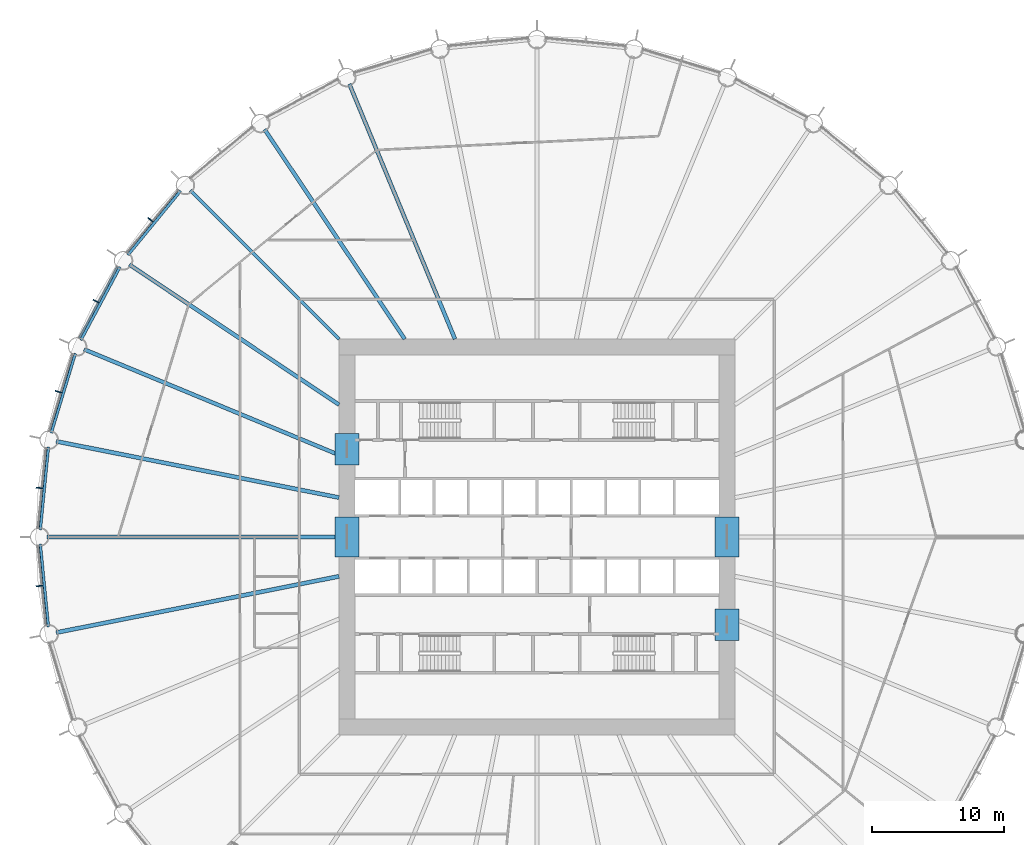
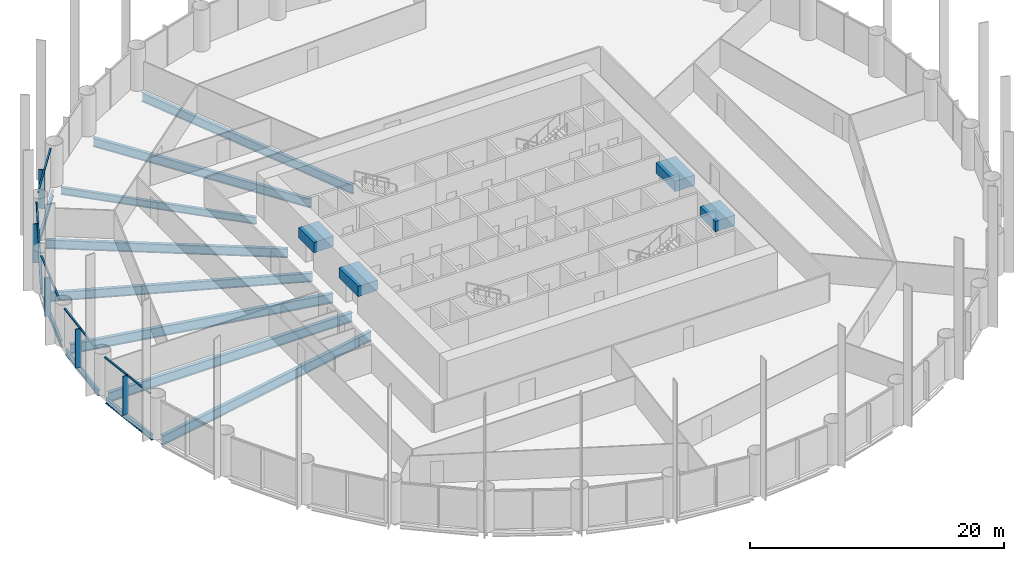
# One storey, part 4 of 14: 17 beams, 15 members, 5 elements without a shape of their own.
"""IFC4 building model written with IfcOpenShell, lengths in metres."""

from ifc_helpers import new_model, si_unit, direction, frame, origin, origin_2d, place, context, subcontext, project, spatial, rectangle, i_section, extrude, material, material_profile, profile_set, type_object, element, aggregate, save


model = new_model("IFC4")

# Units and contexts
model_context = context("Model", 3, precision=1e-05, world=origin(), true_north=direction((0.0, 1.0)))
body_context = subcontext(model_context, "Body", "Model", "MODEL_VIEW")
ifc_project = project(units=[si_unit("LENGTHUNIT", "METRE"), si_unit("AREAUNIT", "SQUARE_METRE"), si_unit("VOLUMEUNIT", "CUBIC_METRE"), si_unit("PLANEANGLEUNIT", "RADIAN"), si_unit("MASSUNIT", "GRAM", prefix="KILO")], contexts=[model_context])

# Site, building, storey
site_placement = place(None, origin())
site = spatial("IfcSite", under=ifc_project, at=site_placement, CompositionType="ELEMENT")
building_placement = place(site_placement, origin())
building = spatial("IfcBuilding", under=site, at=building_placement, Name="Corvane Civic Tower", CompositionType="ELEMENT")
storey_placement = place(building_placement, frame((0.0, 0.0, 77.0)))
storey = spatial("IfcBuildingStorey", under=building, at=storey_placement, Name="L17", CompositionType="ELEMENT", Elevation=77.0)

# Beams
ifc_material_1 = material(Name="Concrete C80/95", Category="concrete")
ifc_material_profile_1 = material_profile(ifc_material_1, rectangle(XDim=1.800048828125, YDim=1.0, at=origin_2d()), Name="COUPLING BEAM 1800X1000")
ifc_profile_set_1 = profile_set([ifc_material_profile_1], Name="Concrete C80/95")
beam_type_1 = type_object("IfcBeamType", Name="COUPLING BEAM COUPLING BEAM 1800X1000", PredefinedType="BEAM", material=ifc_profile_set_1)
for number, where, z_axis, x_axis, name in (
    (1, (-14.39990234375, -1.5, 2.60009765625), (0.0, 1.0, 0.0), (-1.0, 0.0, 0.0), "BM-L17-cpl-CW-LW"),
    (2, (14.39990234375, -1.5, 2.60009765625), (0.0, 1.0, 0.0), (-1.0, 0.0, 0.0), "BM-L17-cpl-CW-LE"),
):
    element("IfcBeam", number, at=place(storey_placement, frame(where, z_axis=z_axis, x_axis=x_axis)), inside=storey, type_object=beam_type_1, Name=name, PredefinedType="BEAM", context=body_context, shape_type="SweptSolid", body=[
        extrude(rectangle(XDim=1.800048828125, YDim=1.0, at=origin_2d()), origin(), (0.0, 0.0, 1.0), 3.0),
    ])
for number, where, z_axis, x_axis, name in (
    (3, (-14.39990234375, 5.449951171875, 2.60009765625), (0.0, 1.0, 0.0), (-1.0, 0.0, 0.0), "BM-L17-cpl-CW-WN"),
    (4, (14.39990234375, -7.85009765625, 2.60009765625), (0.0, 1.0, 0.0), (-1.0, 0.0, 0.0), "BM-L17-cpl-CW-ES"),
):
    element("IfcBeam", number, at=place(storey_placement, frame(where, z_axis=z_axis, x_axis=x_axis)), inside=storey, type_object=beam_type_1, Name=name, PredefinedType="BEAM", context=body_context, shape_type="SweptSolid", body=[
        extrude(rectangle(XDim=1.800048828125, YDim=1.0, at=origin_2d()), origin(), (0.0, 0.0, 1.0), 2.400146484375),
    ])
ifc_material_2 = material(Name="Steel ASTM A992 Gr 50", Category="steel")
ifc_material_profile_2 = material_profile(ifc_material_2, i_section(OverallWidth=0.209228515625, OverallDepth=0.533447265625, WebThickness=0.01025390625, FlangeThickness=0.015625, at=origin_2d()), Name="W21X62")
ifc_profile_set_2 = profile_set([ifc_material_profile_2], Name="Steel ASTM A992 Gr 50")
beam_type_2 = type_object("IfcBeamType", Name="EDGE BEAM W21X62", PredefinedType="BEAM", material=ifc_profile_set_2)
for number, where, z_axis, x_axis, name in (
    (5, (-37.029541015625, -6.8076171875, -0.566650390625), (-0.097997284622, 0.995186682089, 0.0), (-0.995186682089, -0.097997284622, 0.0), "BM-L17-E24"),
    (6, (-37.64599609375, 0.54736328125, -0.566650390625), (0.097997284622, 0.995186682089, 0.0), (-0.995186682089, 0.097997284622, 0.0), "BM-L17-E25"),
):
    element("IfcBeam", number, at=place(storey_placement, frame(where, z_axis=z_axis, x_axis=x_axis)), inside=storey, type_object=beam_type_2, Name=name, PredefinedType="BEAM", context=body_context, shape_type="SweptSolid", body=[
        extrude(i_section(OverallWidth=0.209228515625, OverallDepth=0.533447265625, WebThickness=0.01025390625, FlangeThickness=0.015625, at=origin_2d()), origin(), (0.0, 0.0, 1.0), 6.29052734375),
    ])
for number, where, z_axis, x_axis, name in (
    (7, (-36.81591796875, 7.88134765625, -0.566650390625), (0.290273452184, 0.956943740748, 0.0), (-0.956943740748, 0.290273452184, 0.0), "BM-L17-E26"),
    (8, (-34.571044921875, 14.912353515625, -0.566650390625), (0.471405897311, 0.881916367906, 0.0), (-0.881916367906, 0.471405897311, 0.0), "BM-L17-E27"),
):
    element("IfcBeam", number, at=place(storey_placement, frame(where, z_axis=z_axis, x_axis=x_axis)), inside=storey, type_object=beam_type_2, Name=name, PredefinedType="BEAM", context=body_context, shape_type="SweptSolid", body=[
        extrude(i_section(OverallWidth=0.209228515625, OverallDepth=0.533447265625, WebThickness=0.01025390625, FlangeThickness=0.015625, at=origin_2d()), origin(), (0.0, 0.0, 1.0), 6.290283203125),
    ])
beam_1_placement = place(storey_placement, frame((-30.99755859375, 21.3701171875, -0.566650390625), z_axis=(0.634386787141, 0.773015785286, 0.0), x_axis=(-0.773015785286, 0.634386787141, 0.0)))
element("IfcBeam", 9, at=beam_1_placement, inside=storey, type_object=beam_type_2, Name="BM-L17-E28", PredefinedType="BEAM", context=body_context, shape_type="SweptSolid", body=[
    extrude(i_section(OverallWidth=0.209228515625, OverallDepth=0.533447265625, WebThickness=0.01025390625, FlangeThickness=0.015625, at=origin_2d()), origin(), (0.0, 0.0, 1.0), 6.290771484375),
])
ifc_material_3 = material(Name="Steel ASTM A992 Gr 50", Category="steel")
ifc_material_profile_3 = material_profile(ifc_material_3, i_section(OverallWidth=0.256591796875, OverallDepth=0.693359375, WebThickness=0.014404296875, FlangeThickness=0.023681640625, at=origin_2d()), Name="W27X114")
ifc_profile_set_3 = profile_set([ifc_material_profile_3], Name="Steel ASTM A992 Gr 50")
beam_type_3 = type_object("IfcBeamType", Name="FLOOR GIRDER W27X114", PredefinedType="BEAM", material=ifc_profile_set_3)
beam_2_placement = place(storey_placement, frame((-15.0, 15.0, -0.646728515625), z_axis=(-0.707106781187, 0.707106781187, 0.0), x_axis=(-0.707106781187, -0.707106781187, 0.0)))
element("IfcBeam", 10, at=beam_2_placement, inside=storey, type_object=beam_type_3, Name="BM-L17-G29", PredefinedType="BEAM", context=body_context, shape_type="SweptSolid", body=[
    extrude(i_section(OverallWidth=0.256591796875, OverallDepth=0.693359375, WebThickness=0.014404296875, FlangeThickness=0.023681640625, at=origin_2d()), origin(), (0.0, 0.0, 1.0), 15.936767578125),
])
ifc_material_4 = material(Name="Steel ASTM A992 Gr 50", Category="steel")
ifc_material_profile_4 = material_profile(ifc_material_4, i_section(OverallWidth=0.2919921875, OverallDepth=0.8583984375, WebThickness=0.01708984375, FlangeThickness=0.031005859375, at=origin_2d()), Name="W33X169")
ifc_profile_set_4 = profile_set([ifc_material_profile_4], Name="Steel ASTM A992 Gr 50")
beam_type_4 = type_object("IfcBeamType", Name="FLOOR GIRDER W33X169", PredefinedType="BEAM", material=ifc_profile_set_4)
beam_3_placement = place(storey_placement, frame((-15.0, 6.213134765625, -0.729248046875), z_axis=(-0.923875834355, 0.382692360381, 0.0), x_axis=(-0.382692360381, -0.923875834355, 0.0)))
element("IfcBeam", 11, at=beam_3_placement, inside=storey, type_object=beam_type_4, Name="BM-L17-G27", PredefinedType="BEAM", context=body_context, shape_type="SweptSolid", body=[
    extrude(i_section(OverallWidth=0.2919921875, OverallDepth=0.8583984375, WebThickness=0.01708984375, FlangeThickness=0.031005859375, at=origin_2d()), origin(), (0.0, 0.0, 1.0), 20.9140625),
])
for number, where, z_axis, x_axis, name in (
    (12, (-15.0, 10.022705078125, -0.729248046875), (-0.831471985418, 0.555566681385, 0.0), (-0.555566681385, -0.831471985418, 0.0), "BM-L17-G28"),
    (13, (-10.022705078125, 15.0, -0.729248046875), (-0.555566681385, 0.831471985418, 0.0), (-0.831471985418, -0.555566681385, 0.0), "BM-L17-G30"),
):
    element("IfcBeam", number, at=place(storey_placement, frame(where, z_axis=z_axis, x_axis=x_axis)), inside=storey, type_object=beam_type_4, Name=name, PredefinedType="BEAM", context=body_context, shape_type="SweptSolid", body=[
        extrude(i_section(OverallWidth=0.2919921875, OverallDepth=0.8583984375, WebThickness=0.01708984375, FlangeThickness=0.031005859375, at=origin_2d()), origin(), (0.0, 0.0, 1.0), 19.109619140625),
    ])
beam_4_placement = place(storey_placement, frame((-6.213134765625, 15.0, -0.729248046875), z_axis=(-0.382692360381, 0.923875834355, 0.0), x_axis=(-0.923875834355, -0.382692360381, 0.0)))
element("IfcBeam", 14, at=beam_4_placement, inside=storey, type_object=beam_type_4, Name="BM-L17-G31", PredefinedType="BEAM", context=body_context, shape_type="SweptSolid", body=[
    extrude(i_section(OverallWidth=0.2919921875, OverallDepth=0.8583984375, WebThickness=0.01708984375, FlangeThickness=0.031005859375, at=origin_2d()), origin(), (0.0, 0.0, 1.0), 20.9140625),
])
ifc_material_5 = material(Name="Steel ASTM A992 Gr 50", Category="steel")
ifc_material_profile_5 = material_profile(ifc_material_5, i_section(OverallWidth=0.307373046875, OverallDepth=0.927001953125, WebThickness=0.01953125, FlangeThickness=0.031982421875, at=origin_2d()), Name="W36X194")
ifc_profile_set_5 = profile_set([ifc_material_profile_5], Name="Steel ASTM A992 Gr 50")
beam_type_5 = type_object("IfcBeamType", Name="FLOOR GIRDER W36X194", PredefinedType="BEAM", material=ifc_profile_set_5)
beam_5_placement = place(storey_placement, frame((-15.0, -2.983642578125, -0.763671875), z_axis=(-0.980785499679, -0.195089219638, 0.0), x_axis=(0.195089219638, -0.980785499679, 0.0)))
element("IfcBeam", 15, at=beam_5_placement, inside=storey, type_object=beam_type_5, Name="BM-L17-G24", PredefinedType="BEAM", context=body_context, shape_type="SweptSolid", body=[
    extrude(i_section(OverallWidth=0.307373046875, OverallDepth=0.927001953125, WebThickness=0.01953125, FlangeThickness=0.031982421875, at=origin_2d()), origin(), (0.0, 0.0, 1.0), 21.856201171875),
])
beam_6_placement = place(storey_placement, frame((-15.0, 0.0, -0.763671875), z_axis=(-1.0, 0.0, 0.0), x_axis=(0.0, -1.0, 0.0)))
element("IfcBeam", 16, at=beam_6_placement, inside=storey, type_object=beam_type_5, Name="BM-L17-G25", PredefinedType="BEAM", context=body_context, shape_type="SweptSolid", body=[
    extrude(i_section(OverallWidth=0.307373046875, OverallDepth=0.927001953125, WebThickness=0.01953125, FlangeThickness=0.031982421875, at=origin_2d()), origin(), (0.0, 0.0, 1.0), 22.14990234375),
])
beam_7_placement = place(storey_placement, frame((-15.0, 2.983642578125, -0.763671875), z_axis=(-0.980785499679, 0.195089219638, 0.0), x_axis=(-0.195089219638, -0.980785499679, 0.0)))
element("IfcBeam", 17, at=beam_7_placement, inside=storey, type_object=beam_type_5, Name="BM-L17-G26", PredefinedType="BEAM", context=body_context, shape_type="SweptSolid", body=[
    extrude(i_section(OverallWidth=0.307373046875, OverallDepth=0.927001953125, WebThickness=0.01953125, FlangeThickness=0.031982421875, at=origin_2d()), origin(), (0.0, 0.0, 1.0), 21.856201171875),
])

# Curtain wall, members
ifc_material_6 = material(Name="Anodised aluminium bronze", Category="aluminium")
curtain_wall_type = type_object("IfcCurtainWallType", Name="TOWER CW-T1 STICK CURTAIN WALL", PredefinedType="NOTDEFINED", material=ifc_material_6)
curtain_wall_1_placement = place(storey_placement, origin())
curtain_wall_1 = element("IfcCurtainWall", 18, at=curtain_wall_1_placement, inside=storey, type_object=curtain_wall_type, Name="Curtain wall CW-T1 L17 bay 24", PredefinedType="NOTDEFINED")
ifc_material_7 = material(Name="Anodised aluminium bronze", Category="aluminium")
ifc_material_profile_6 = material_profile(ifc_material_7, rectangle(XDim=0.139892578125, YDim=0.1201171875, at=origin_2d()), Name="TOWER CW-T1 TRANSOM 140x120")
ifc_profile_set_6 = profile_set([ifc_material_profile_6], Name="Anodised aluminium bronze")
member_type_1 = type_object("IfcMemberType", Name="TOWER CW-T1 TRANSOM 140x120", PredefinedType="USERDEFINED", material=ifc_profile_set_6)
member_1_placement = place(storey_placement, frame((-37.21728515625, -6.72900390625, 3.68994140625), z_axis=(-0.097944923917, 0.995191836722, 0.0), x_axis=(-0.995191836722, -0.097944923917, 0.0)))
member_1 = element("IfcMember", 19, at=member_1_placement, type_object=member_type_1, Name="Transom CW-T1 L17 24.1", ObjectType="TRANSOM", PredefinedType="USERDEFINED", context=body_context, shape_type="SweptSolid", body=[
    extrude(rectangle(XDim=0.139892578125, YDim=0.1201171875, at=origin_2d()), origin(), (0.0, 0.0, 1.0), 3.008544921875),
])
member_2_placement = place(storey_placement, frame((-37.52001953125, -3.6552734375, 3.68994140625), z_axis=(-0.097944923917, 0.995191836722, 0.0), x_axis=(-0.995191836722, -0.097944923917, 0.0)))
member_2 = element("IfcMember", 20, at=member_2_placement, type_object=member_type_1, Name="Transom CW-T1 L17 24.2", ObjectType="TRANSOM", PredefinedType="USERDEFINED", context=body_context, shape_type="SweptSolid", body=[
    extrude(rectangle(XDim=0.139892578125, YDim=0.1201171875, at=origin_2d()), origin(), (0.0, 0.0, 1.0), 3.008544921875),
])

curtain_wall_2_placement = place(storey_placement, origin())
curtain_wall_2 = element("IfcCurtainWall", 21, at=curtain_wall_2_placement, inside=storey, type_object=curtain_wall_type, Name="Curtain wall CW-T1 L17 bay 25", PredefinedType="NOTDEFINED")
member_3_placement = place(storey_placement, frame((-37.814697265625, 0.6611328125, 3.68994140625), z_axis=(0.097944923917, 0.995191836722, 0.0), x_axis=(-0.995191836722, 0.097944923917, 0.0)))
member_3 = element("IfcMember", 22, at=member_3_placement, type_object=member_type_1, Name="Transom CW-T1 L17 25.1", ObjectType="TRANSOM", PredefinedType="USERDEFINED", context=body_context, shape_type="SweptSolid", body=[
    extrude(rectangle(XDim=0.139892578125, YDim=0.1201171875, at=origin_2d()), origin(), (0.0, 0.0, 1.0), 3.008544921875),
])
member_4_placement = place(storey_placement, frame((-37.511962890625, 3.73486328125, 3.68994140625), z_axis=(0.097944923917, 0.995191836722, 0.0), x_axis=(-0.995191836722, 0.097944923917, 0.0)))
member_4 = element("IfcMember", 23, at=member_4_placement, type_object=member_type_1, Name="Transom CW-T1 L17 25.2", ObjectType="TRANSOM", PredefinedType="USERDEFINED", context=body_context, shape_type="SweptSolid", body=[
    extrude(rectangle(XDim=0.139892578125, YDim=0.1201171875, at=origin_2d()), origin(), (0.0, 0.0, 1.0), 3.008544921875),
])

curtain_wall_3_placement = place(storey_placement, origin())
curtain_wall_3 = element("IfcCurtainWall", 24, at=curtain_wall_3_placement, inside=storey, type_object=curtain_wall_type, Name="Curtain wall CW-T1 L17 bay 26", PredefinedType="NOTDEFINED")
member_5_placement = place(storey_placement, frame((-36.959228515625, 8.02587890625, 3.68994140625), z_axis=(0.290279914268, 0.956941780555, 0.0), x_axis=(-0.956941780555, 0.290279914268, 0.0)))
member_5 = element("IfcMember", 25, at=member_5_placement, type_object=member_type_1, Name="Transom CW-T1 L17 26.1", ObjectType="TRANSOM", PredefinedType="USERDEFINED", context=body_context, shape_type="SweptSolid", body=[
    extrude(rectangle(XDim=0.139892578125, YDim=0.1201171875, at=origin_2d()), origin(), (0.0, 0.0, 1.0), 3.008544921875),
])
member_6_placement = place(storey_placement, frame((-36.062744140625, 10.9814453125, 3.68994140625), z_axis=(0.290279914268, 0.956941780555, 0.0), x_axis=(-0.956941780555, 0.290279914268, 0.0)))
member_6 = element("IfcMember", 26, at=member_6_placement, type_object=member_type_1, Name="Transom CW-T1 L17 26.2", ObjectType="TRANSOM", PredefinedType="USERDEFINED", context=body_context, shape_type="SweptSolid", body=[
    extrude(rectangle(XDim=0.139892578125, YDim=0.1201171875, at=origin_2d()), origin(), (0.0, 0.0, 1.0), 3.008544921875),
])

curtain_wall_4_placement = place(storey_placement, origin())
curtain_wall_4 = element("IfcCurtainWall", 27, at=curtain_wall_4_placement, inside=storey, type_object=curtain_wall_type, Name="Curtain wall CW-T1 L17 bay 27", PredefinedType="NOTDEFINED")
member_7_placement = place(storey_placement, frame((-34.683349609375, 15.08203125, 3.68994140625), z_axis=(0.471392506424, 0.881923525532, 0.0), x_axis=(-0.881923525532, 0.471392506424, 0.0)))
member_7 = element("IfcMember", 28, at=member_7_placement, type_object=member_type_1, Name="Transom CW-T1 L17 27.1", ObjectType="TRANSOM", PredefinedType="USERDEFINED", context=body_context, shape_type="SweptSolid", body=[
    extrude(rectangle(XDim=0.139892578125, YDim=0.1201171875, at=origin_2d()), origin(), (0.0, 0.0, 1.0), 3.008544921875),
])
member_8_placement = place(storey_placement, frame((-33.2275390625, 17.805908203125, 3.68994140625), z_axis=(0.471392506424, 0.881923525532, 0.0), x_axis=(-0.881923525532, 0.471392506424, 0.0)))
member_8 = element("IfcMember", 29, at=member_8_placement, type_object=member_type_1, Name="Transom CW-T1 L17 27.2", ObjectType="TRANSOM", PredefinedType="USERDEFINED", context=body_context, shape_type="SweptSolid", body=[
    extrude(rectangle(XDim=0.139892578125, YDim=0.1201171875, at=origin_2d()), origin(), (0.0, 0.0, 1.0), 3.008544921875),
])

curtain_wall_5_placement = place(storey_placement, origin())
curtain_wall_5 = element("IfcCurtainWall", 30, at=curtain_wall_5_placement, inside=storey, type_object=curtain_wall_type, Name="Curtain wall CW-T1 L17 bay 28", PredefinedType="NOTDEFINED")
member_9_placement = place(storey_placement, frame((-31.074462890625, 21.55859375, 3.68994140625), z_axis=(0.634355161466, 0.773041738279, 0.0), x_axis=(-0.773041738279, 0.634355161466, 0.0)))
member_9 = element("IfcMember", 31, at=member_9_placement, type_object=member_type_1, Name="Transom CW-T1 L17 28.1", ObjectType="TRANSOM", PredefinedType="USERDEFINED", context=body_context, shape_type="SweptSolid", body=[
    extrude(rectangle(XDim=0.139892578125, YDim=0.1201171875, at=origin_2d()), origin(), (0.0, 0.0, 1.0), 3.008544921875),
])
member_10_placement = place(storey_placement, frame((-29.115234375, 23.946044921875, 3.68994140625), z_axis=(0.634403652865, 0.773001943873, 0.0), x_axis=(-0.773001943873, 0.634403652865, 0.0)))
member_10 = element("IfcMember", 32, at=member_10_placement, type_object=member_type_1, Name="Transom CW-T1 L17 28.2", ObjectType="TRANSOM", PredefinedType="USERDEFINED", context=body_context, shape_type="SweptSolid", body=[
    extrude(rectangle(XDim=0.139892578125, YDim=0.1201171875, at=origin_2d()), origin(), (0.0, 0.0, 1.0), 3.008544921875),
])

# Member
ifc_material_8 = material(Name="Anodised aluminium bronze", Category="aluminium")
ifc_material_profile_7 = material_profile(ifc_material_8, rectangle(XDim=0.080078125, YDim=0.5, at=origin_2d()), Name="TOWER FIN MULLION 80x500 BRONZE")
ifc_profile_set_7 = profile_set([ifc_material_profile_7], Name="Anodised aluminium bronze")
member_type_2 = type_object("IfcMemberType", Name="TOWER FIN MULLION 80x500 BRONZE", PredefinedType="MULLION", material=ifc_profile_set_7)
member_11_placement = place(storey_placement, frame((-37.715087890625, -3.714599609375, 0.0), z_axis=(0.0, 0.0, 1.0), x_axis=(-0.098006239521, 0.995185800248, 0.0)))
member_11 = element("IfcMember", 33, at=member_11_placement, type_object=member_type_2, Name="Fin mullion 24 L17", PredefinedType="MULLION", context=body_context, shape_type="SweptSolid", body=[
    extrude(rectangle(XDim=0.080078125, YDim=0.5, at=origin_2d()), origin(), (0.0, 0.0, 1.0), 3.75),
])

aggregate(curtain_wall_1, [member_11, member_1, member_2])

member_12_placement = place(storey_placement, frame((-37.715087890625, 3.714599609375, 0.0), z_axis=(0.0, 0.0, 1.0), x_axis=(0.098006239521, 0.995185800248, 0.0)))
member_12 = element("IfcMember", 34, at=member_12_placement, type_object=member_type_2, Name="Fin mullion 25 L17", PredefinedType="MULLION", context=body_context, shape_type="SweptSolid", body=[
    extrude(rectangle(XDim=0.080078125, YDim=0.5, at=origin_2d()), origin(), (0.0, 0.0, 1.0), 3.75),
])

aggregate(curtain_wall_2, [member_12, member_3, member_4])

member_13_placement = place(storey_placement, frame((-36.265625, 11.001220703125, 0.0), z_axis=(0.0, 0.0, 1.0), x_axis=(0.290278397654, 0.956942240606, 0.0)))
member_13 = element("IfcMember", 35, at=member_13_placement, type_object=member_type_2, Name="Fin mullion 26 L17", PredefinedType="MULLION", context=body_context, shape_type="SweptSolid", body=[
    extrude(rectangle(XDim=0.080078125, YDim=0.5, at=origin_2d()), origin(), (0.0, 0.0, 1.0), 3.75),
])

aggregate(curtain_wall_3, [member_13, member_5, member_6])

member_14_placement = place(storey_placement, frame((-33.422607421875, 17.86474609375, 0.0), z_axis=(0.0, 0.0, 1.0), x_axis=(0.471403725359, 0.881917528864, 0.0)))
member_14 = element("IfcMember", 36, at=member_14_placement, type_object=member_type_2, Name="Fin mullion 27 L17", PredefinedType="MULLION", context=body_context, shape_type="SweptSolid", body=[
    extrude(rectangle(XDim=0.080078125, YDim=0.5, at=origin_2d()), origin(), (0.0, 0.0, 1.0), 3.75),
])

aggregate(curtain_wall_4, [member_14, member_7, member_8])

member_15_placement = place(storey_placement, frame((-29.295166015625, 24.0419921875, 0.0), z_axis=(0.0, 0.0, 1.0), x_axis=(0.634397218569, 0.773007224463, 0.0)))
member_15 = element("IfcMember", 37, at=member_15_placement, type_object=member_type_2, Name="Fin mullion 28 L17", PredefinedType="MULLION", context=body_context, shape_type="SweptSolid", body=[
    extrude(rectangle(XDim=0.080078125, YDim=0.5, at=origin_2d()), origin(), (0.0, 0.0, 1.0), 3.75),
])

aggregate(curtain_wall_5, [member_15, member_9, member_10])

save(model, "model.ifc")
